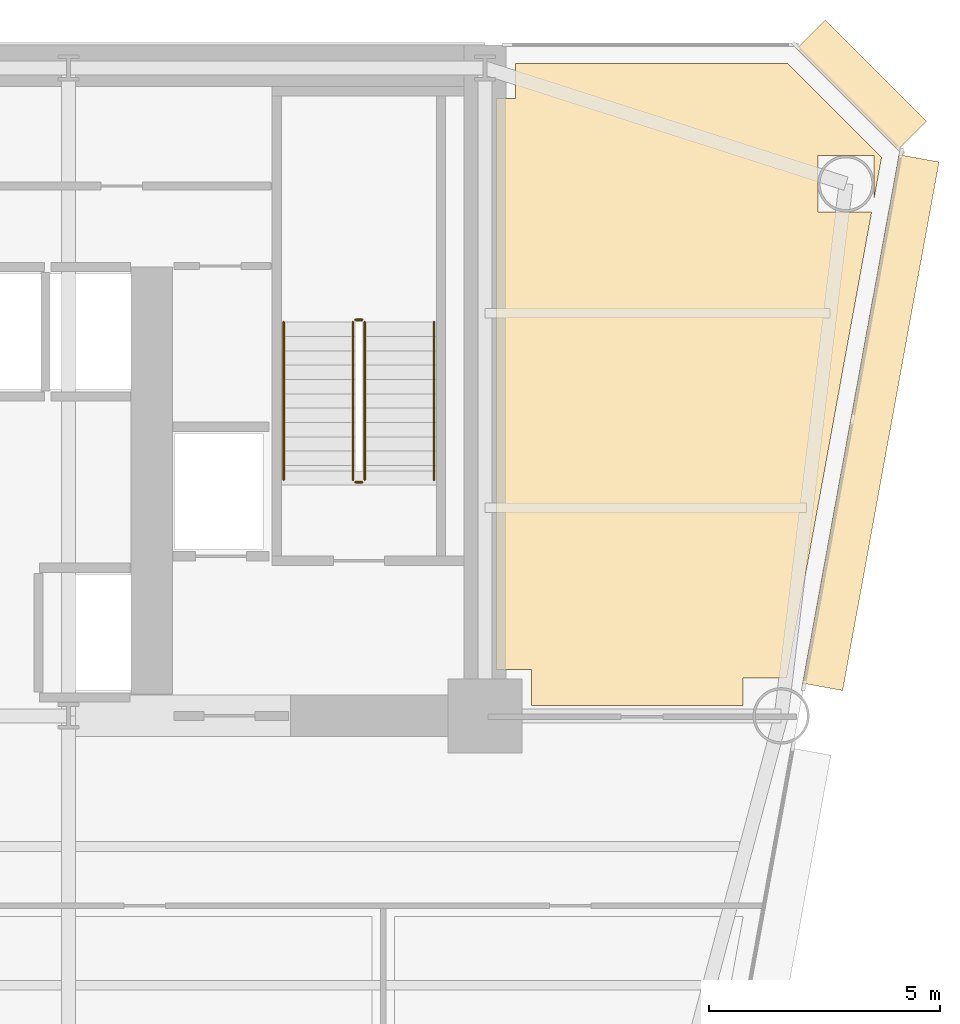
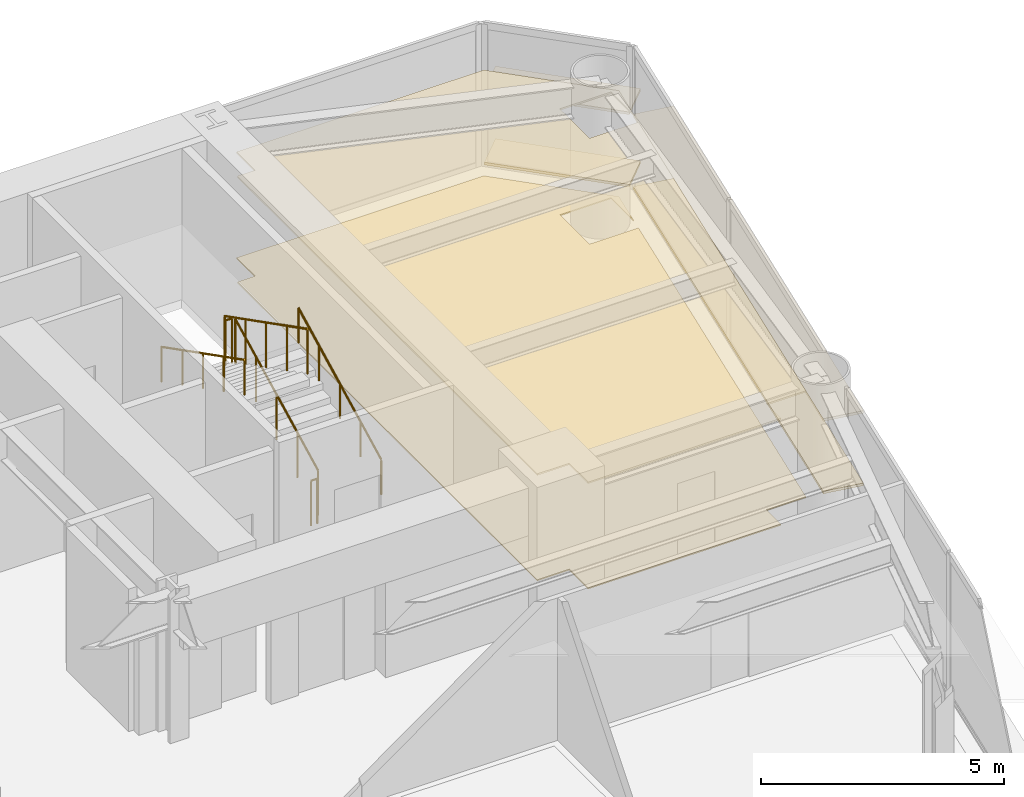
# One storey, part 14 of 14: 6 coverings, 6 railings.
"""IFC4 building model written with IfcOpenShell, lengths in metres."""

from ifc_helpers import new_model, si_unit, direction, frame, origin, origin_2d, place, context, subcontext, project, spatial, polyline, rectangle, circle, outline, extrude, source, transform, mapped, material, layer, layer_set, type_object, element, save


model = new_model("IFC4")

# Units and contexts
model_context = context("Model", 3, precision=1e-05, world=origin(), true_north=direction((0.0, 1.0)))
body_context = subcontext(model_context, "Body", "Model", "MODEL_VIEW")
ifc_project = project(units=[si_unit("LENGTHUNIT", "METRE"), si_unit("AREAUNIT", "SQUARE_METRE"), si_unit("VOLUMEUNIT", "CUBIC_METRE"), si_unit("PLANEANGLEUNIT", "RADIAN"), si_unit("MASSUNIT", "GRAM", prefix="KILO")], contexts=[model_context])

# Site, building, storey
site_placement = place(None, origin())
site = spatial("IfcSite", under=ifc_project, at=site_placement, CompositionType="ELEMENT")
building_placement = place(site_placement, origin())
building = spatial("IfcBuilding", under=site, at=building_placement, Name="Vaeldorn Concourse Tower", CompositionType="ELEMENT")
storey_placement = place(building_placement, frame((0.0, 0.0, 60.60009765625)))
storey = spatial("IfcBuildingStorey", under=building, at=storey_placement, Name="L15", CompositionType="ELEMENT", Elevation=60.60009765625)

# Coverings
ifc_material_1 = material(Name="Acoustic Mineral Fibre Board", Category="gypsum")
ifc_layer_1 = layer(ifc_material_1, 0.0400390625)
ifc_layer_set_1 = layer_set([ifc_layer_1], Name="Acoustic Mineral Fibre Board")
covering_type_1 = type_object("IfcCoveringType", Name="COV-CEIL-ACOUSTIC", PredefinedType="CEILING", material=ifc_layer_set_1)
covering_1_placement = place(storey_placement, frame((0.0, 0.0, 2.64990234375)))
element("IfcCovering", 1, at=covering_1_placement, inside=storey, type_object=covering_type_1, Name="Suspended Acoustic Ceiling L15-4", PredefinedType="CEILING", context=body_context, shape_type="SweptSolid", body=[
    extrude(outline(polyline([(54.659912109375, 49.840087890625), (54.659912109375, 50.60009765625), (60.5341796875, 50.60009765625), (62.56884765625, 48.5654296875), (62.409423828125, 47.69140625), (62.409423828125, 48.609619140625), (61.1904296875, 48.609619140625), (61.1904296875, 47.390380859375), (62.3544921875, 47.390380859375), (60.518310546875, 37.320068359375), (59.580078125, 37.320068359375), (59.580078125, 36.719970703125), (55.0, 36.719970703125), (55.0, 37.5), (54.239990234375, 37.5), (54.239990234375, 49.840087890625), (54.659912109375, 49.840087890625)])), origin(), (0.0, 0.0, 1.0), 0.0400390625),
])
ifc_material_2 = material(Name="Honed Limestone Terrazzo Flooring", Category="masonry")
ifc_layer_2 = layer(ifc_material_2, 0.0400390625)
ifc_layer_set_2 = layer_set([ifc_layer_2], Name="Honed Limestone Terrazzo Flooring")
covering_type_2 = type_object("IfcCoveringType", Name="COV-FLOOR-STONE", PredefinedType="FLOORING", material=ifc_layer_set_2)
covering_2_placement = place(storey_placement, origin())
element("IfcCovering", 2, at=covering_2_placement, inside=storey, type_object=covering_type_2, Name="Floor Finish Covering L15-4", PredefinedType="FLOORING", context=body_context, shape_type="SweptSolid", body=[
    extrude(outline(polyline([(54.659912109375, 49.840087890625), (54.659912109375, 50.60009765625), (60.5341796875, 50.60009765625), (62.56884765625, 48.5654296875), (62.409423828125, 47.69140625), (62.409423828125, 48.609619140625), (61.1904296875, 48.609619140625), (61.1904296875, 47.390380859375), (62.3544921875, 47.390380859375), (60.518310546875, 37.320068359375), (59.580078125, 37.320068359375), (59.580078125, 36.719970703125), (55.0, 36.719970703125), (55.0, 37.5), (54.239990234375, 37.5), (54.239990234375, 49.840087890625), (54.659912109375, 49.840087890625)])), origin(), (0.0, 0.0, 1.0), 0.02978515625),
])

# Railings
ifc_material_3 = material(Name="Anodised Bronze Aluminium", Category="aluminium")
railing_type_1 = type_object("IfcRailingType", Name="RL-STAIR-GUARD", PredefinedType="GUARDRAIL", material=ifc_material_3)
railing_1_placement = place(storey_placement, frame((51.39990234375, 41.60009765625, 0.158203125)))
element("IfcRailing", 3, at=railing_1_placement, inside=storey, type_object=railing_type_1, Name="L15 ST-2 stair guard 1", PredefinedType="GUARDRAIL", context=body_context, shape_type="SweptSolid", body=[
    extrude(circle(Radius=0.02392578125, at=origin_2d()), frame((0.0, 0.0, 1.1259765625), z_axis=(0.0, 0.890555807335, 0.454873997962), x_axis=(-1.0, 0.0, 0.0)), (0.0, 0.0, 1.0), 3.828857421875),
    extrude(circle(Radius=0.02099609375, at=origin_2d()), origin(), (0.0, 0.0, 1.0), 1.101806640625),
    extrude(circle(Radius=0.02099609375, at=origin_2d()), frame((0.0, 0.8525390625, 0.435546875)), (0.0, 0.0, 1.0), 1.101806640625),
    extrude(circle(Radius=0.02099609375, at=origin_2d()), frame((0.0, 1.705078125, 0.870849609375)), (0.0, 0.0, 1.0), 1.101806640625),
    extrude(circle(Radius=0.02099609375, at=origin_2d()), frame((0.0, 2.557373046875, 1.30615234375)), (0.0, 0.0, 1.0), 1.101806640625),
    extrude(circle(Radius=0.02099609375, at=origin_2d()), frame((0.0, 3.409912109375, 1.74169921875)), (0.0, 0.0, 1.0), 1.101806640625),
])
railing_2_placement = place(storey_placement, frame((51.35009765625, 45.06005859375, 1.89990234375)))
element("IfcRailing", 4, at=railing_2_placement, inside=storey, type_object=railing_type_1, Name="L15 ST-2 stair guard 2", PredefinedType="GUARDRAIL", context=body_context, shape_type="SweptSolid", body=[
    extrude(circle(Radius=0.02392578125, at=origin_2d()), frame((0.0, 0.0, 1.1259765625), z_axis=(-1.0, 0.0, 0.0), x_axis=(0.0, -1.0, 0.0)), (0.0, 0.0, 1.0), 0.150146484375),
    extrude(circle(Radius=0.02099609375, at=origin_2d()), origin(), (0.0, 0.0, 1.0), 1.101806640625),
    extrude(circle(Radius=0.02099609375, at=origin_2d()), frame((-0.150146484375, 0.0, 0.0)), (0.0, 0.0, 1.0), 1.101806640625),
])
railing_3_placement = place(storey_placement, frame((51.14990234375, 45.010009765625, 2.058349609375)))
element("IfcRailing", 5, at=railing_3_placement, inside=storey, type_object=railing_type_1, Name="L15 ST-2 stair guard 3", PredefinedType="GUARDRAIL", context=body_context, shape_type="SweptSolid", body=[
    extrude(circle(Radius=0.02392578125, at=origin_2d()), frame((0.0, 0.0, 1.1259765625), z_axis=(0.0, -0.890581635807, 0.454823427236), x_axis=(1.0, 0.0, 0.0)), (0.0, 0.0, 1.0), 3.828857421875),
    extrude(circle(Radius=0.02099609375, at=origin_2d()), origin(), (0.0, 0.0, 1.0), 1.101806640625),
    extrude(circle(Radius=0.02099609375, at=origin_2d()), frame((0.0, -0.8525390625, 0.435302734375)), (0.0, 0.0, 1.0), 1.101806640625),
    extrude(circle(Radius=0.02099609375, at=origin_2d()), frame((0.0, -1.705078125, 0.87060546875)), (0.0, 0.0, 1.0), 1.101806640625),
    extrude(circle(Radius=0.02099609375, at=origin_2d()), frame((0.0, -2.557373046875, 1.30615234375)), (0.0, 0.0, 1.0), 1.101806640625),
    extrude(circle(Radius=0.02099609375, at=origin_2d()), frame((0.0, -3.409912109375, 1.741455078125)), (0.0, 0.0, 1.0), 1.101806640625),
])
railing_4_placement = place(storey_placement, frame((51.35009765625, 41.550048828125, 0.0)))
element("IfcRailing", 6, at=railing_4_placement, inside=storey, type_object=railing_type_1, Name="L15 ST-2 stair guard 4", PredefinedType="GUARDRAIL", context=body_context, shape_type="SweptSolid", body=[
    extrude(circle(Radius=0.02392578125, at=origin_2d()), frame((0.0, 0.0, 1.1259765625), z_axis=(-1.0, 0.0, 0.0), x_axis=(0.0, -1.0, 0.0)), (0.0, 0.0, 1.0), 0.150146484375),
    extrude(circle(Radius=0.02099609375, at=origin_2d()), origin(), (0.0, 0.0, 1.0), 1.101806640625),
    extrude(circle(Radius=0.02099609375, at=origin_2d()), frame((-0.150146484375, 0.0, 0.0)), (0.0, 0.0, 1.0), 1.101806640625),
])
railing_type_2 = type_object("IfcRailingType", Name="RL-STAIR-HANDRAIL", PredefinedType="HANDRAIL", material=ifc_material_3)
railing_5_placement = place(storey_placement, frame((52.89990234375, 41.60009765625, 0.158203125)))
element("IfcRailing", 7, at=railing_5_placement, inside=storey, type_object=railing_type_2, Name="L15 ST-2 stair handrail 1", PredefinedType="HANDRAIL", context=body_context, shape_type="SweptSolid", body=[
    extrude(circle(Radius=0.02392578125, at=origin_2d()), frame((0.0, 0.0, 0.8759765625), z_axis=(0.0, 0.890555807335, 0.454873997962), x_axis=(-1.0, 0.0, 0.0)), (0.0, 0.0, 1.0), 3.828857421875),
    extrude(circle(Radius=0.02099609375, at=origin_2d()), origin(), (0.0, 0.0, 1.0), 0.851806640625),
    extrude(circle(Radius=0.02099609375, at=origin_2d()), frame((0.0, 0.8525390625, 0.435546875)), (0.0, 0.0, 1.0), 0.851806640625),
    extrude(circle(Radius=0.02099609375, at=origin_2d()), frame((0.0, 1.705078125, 0.870849609375)), (0.0, 0.0, 1.0), 0.851806640625),
    extrude(circle(Radius=0.02099609375, at=origin_2d()), frame((0.0, 2.557373046875, 1.30615234375)), (0.0, 0.0, 1.0), 0.851806640625),
    extrude(circle(Radius=0.02099609375, at=origin_2d()), frame((0.0, 3.409912109375, 1.74169921875)), (0.0, 0.0, 1.0), 0.851806640625),
])
railing_6_placement = place(storey_placement, frame((49.64990234375, 45.010009765625, 2.058349609375)))
element("IfcRailing", 8, at=railing_6_placement, inside=storey, type_object=railing_type_2, Name="L15 ST-2 stair handrail 2", PredefinedType="HANDRAIL", context=body_context, shape_type="SweptSolid", body=[
    extrude(circle(Radius=0.02392578125, at=origin_2d()), frame((0.0, 0.0, 0.8759765625), z_axis=(0.0, -0.890581635807, 0.454823427236), x_axis=(1.0, 0.0, 0.0)), (0.0, 0.0, 1.0), 3.828857421875),
    extrude(circle(Radius=0.02099609375, at=origin_2d()), origin(), (0.0, 0.0, 1.0), 0.851806640625),
    extrude(circle(Radius=0.02099609375, at=origin_2d()), frame((0.0, -0.8525390625, 0.435302734375)), (0.0, 0.0, 1.0), 0.851806640625),
    extrude(circle(Radius=0.02099609375, at=origin_2d()), frame((0.0, -1.705078125, 0.87060546875)), (0.0, 0.0, 1.0), 0.851806640625),
    extrude(circle(Radius=0.02099609375, at=origin_2d()), frame((0.0, -2.557373046875, 1.30615234375)), (0.0, 0.0, 1.0), 0.851806640625),
    extrude(circle(Radius=0.02099609375, at=origin_2d()), frame((0.0, -3.409912109375, 1.741455078125)), (0.0, 0.0, 1.0), 0.851806640625),
])

# Coverings
ifc_layer_3 = layer(ifc_material_3, 0.06494140625)
ifc_layer_set_3 = layer_set([ifc_layer_3], Name="Anodised Bronze Aluminium")
covering_type_3 = type_object("IfcCoveringType", Name="SD-BRONZE-SUNSHADE", PredefinedType="USERDEFINED", material=ifc_layer_set_3)
shared_shape_1 = source(origin(), body_context, "Body", "SweptSolid", [
    extrude(rectangle(XDim=3.0927734375, YDim=0.8798828125, at=origin_2d()), origin(), (0.0, 0.0, 1.0), 0.06494140625),
])
for number, where, z_axis, x_axis, name in (
    (9, (62.1328125, 50.1328125, 0.04736328125), (0.0, 0.0, 1.0), (-0.707106781187, 0.707106781187, 0.0), "Horizontal Bronze Sunshade L15-E08.1.1"),
    (10, (62.1328125, 50.1328125, 1.867431640625), (0.0, 0.0, 1.0), (-0.707106781187, 0.707106781187, 0.0), "Horizontal Bronze Sunshade L15-E08.1.2"),
):
    element("IfcCovering", number, at=place(storey_placement, frame(where, z_axis=z_axis, x_axis=x_axis)), inside=storey, type_object=covering_type_3, Name=name, ObjectType="SUNSHADE", PredefinedType="USERDEFINED", context=body_context, shape_type="MappedRepresentation", body=[
        mapped(shared_shape_1, transform((0.0, 0.0, 0.0), scale=1.0)),
    ])
shared_shape_2 = source(origin(), body_context, "Body", "SweptSolid", [
    extrude(rectangle(XDim=11.611328125, YDim=0.8798828125, at=origin_2d()), origin(), (0.0, 0.0, 1.0), 0.06494140625),
])
for number, where, z_axis, x_axis, name in (
    (11, (62.337646484375, 42.837890625, 0.04736328125), (0.0, 0.0, 1.0), (0.179386032735, 0.983778761338, 0.0), "Horizontal Bronze Sunshade L15-E07.2.1"),
    (12, (62.337646484375, 42.837890625, 1.867431640625), (0.0, 0.0, 1.0), (0.179386032735, 0.983778761338, 0.0), "Horizontal Bronze Sunshade L15-E07.2.2"),
):
    element("IfcCovering", number, at=place(storey_placement, frame(where, z_axis=z_axis, x_axis=x_axis)), inside=storey, type_object=covering_type_3, Name=name, ObjectType="SUNSHADE", PredefinedType="USERDEFINED", context=body_context, shape_type="MappedRepresentation", body=[
        mapped(shared_shape_2, transform((0.0, 0.0, 0.0), scale=1.0)),
    ])

save(model, "model.ifc")
